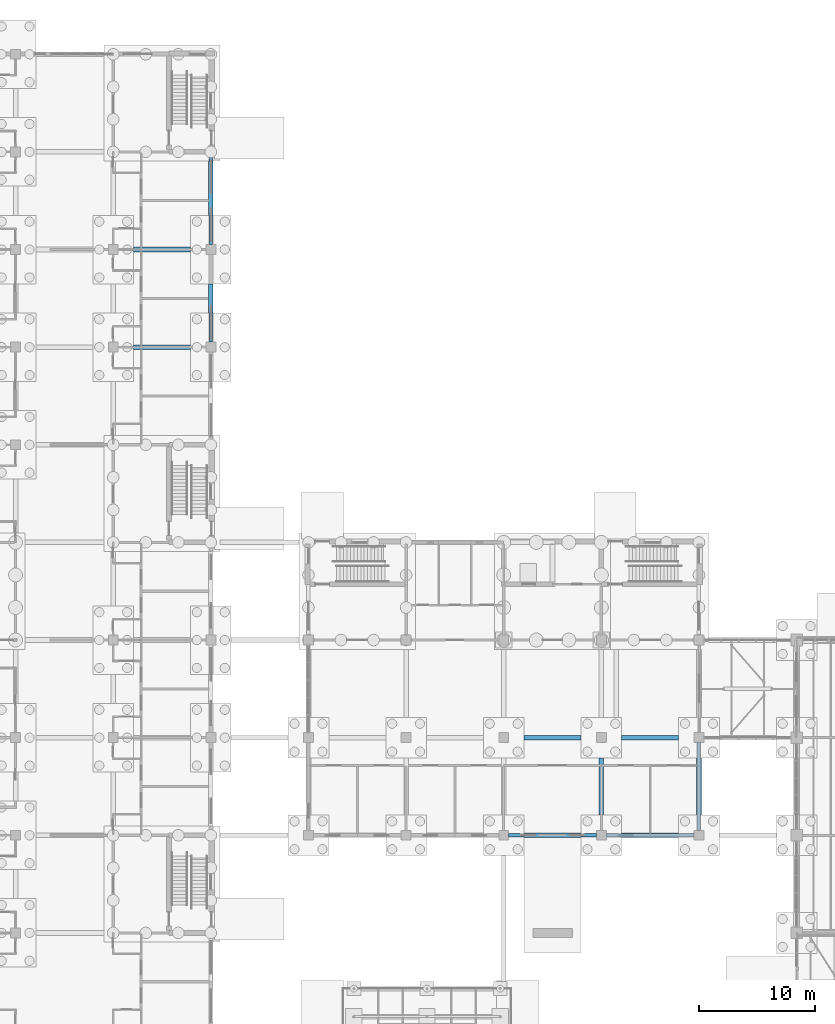
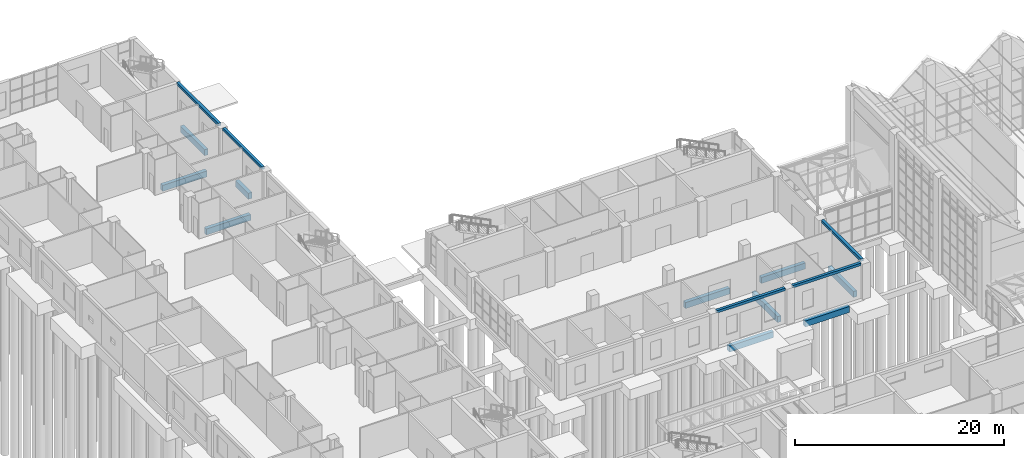
# One storey, part 48 of 138: 15 beams.
"""IFC4 building model written with IfcOpenShell, lengths in metres."""

from ifc_helpers import new_model, si_unit, direction, frame, origin, origin_2d, place, context, subcontext, project, spatial, rectangle, extrude, material, material_profile, profile_set, type_object, element, save


model = new_model("IFC4")

# Units and contexts
model_context = context("Model", 3, precision=1e-05, world=origin(), true_north=direction((0.0, 1.0)))
body_context = subcontext(model_context, "Body", "Model", "MODEL_VIEW")
ifc_project = project(units=[si_unit("LENGTHUNIT", "METRE"), si_unit("AREAUNIT", "SQUARE_METRE"), si_unit("VOLUMEUNIT", "CUBIC_METRE"), si_unit("PLANEANGLEUNIT", "RADIAN"), si_unit("MASSUNIT", "GRAM", prefix="KILO")], contexts=[model_context])

# Site, building, storey
site_placement = place(None, origin())
site = spatial("IfcSite", under=ifc_project, at=site_placement, CompositionType="ELEMENT")
building_placement = place(site_placement, origin())
building = spatial("IfcBuilding", under=site, at=building_placement, Name="Yavir Park General Hospital", CompositionType="ELEMENT")
storey_placement = place(building_placement, origin())
storey = spatial("IfcBuildingStorey", under=building, at=storey_placement, Name="L00", CompositionType="ELEMENT", Elevation=0.0)

# Beams
ifc_material_1 = material(Name="Concrete C35/45", Category="concrete")
ifc_material_profile_1 = material_profile(ifc_material_1, rectangle(XDim=0.300048828125, YDim=0.300048828125, at=origin_2d()), Name="RC300x300")
ifc_profile_set_1 = profile_set([ifc_material_profile_1], Name="Concrete C35/45")
beam_type_1 = type_object("IfcBeamType", Name="RC BEAM 300x300 edge beam", PredefinedType="BEAM", material=ifc_profile_set_1)
beam_1_placement = place(storey_placement, frame((50.824951171875, 50.39990234375, 3.989990234375), z_axis=(1.0, 0.0, 0.0), x_axis=(0.0, 1.0, 0.0)))
element("IfcBeam", 1, at=beam_1_placement, inside=storey, type_object=beam_type_1, Name="B:EDGE:L00:021", PredefinedType="BEAM", context=body_context, shape_type="SweptSolid", body=[
    extrude(rectangle(XDim=0.300048828125, YDim=0.300048828125, at=origin_2d()), origin(), (0.0, 0.0, 1.0), 7.550048828125),
])
beam_2_placement = place(storey_placement, frame((59.22509765625, 50.39990234375, 3.989990234375), z_axis=(1.0, 0.0, 0.0), x_axis=(0.0, 1.0, 0.0)))
element("IfcBeam", 2, at=beam_2_placement, inside=storey, type_object=beam_type_1, Name="B:EDGE:L00:022", PredefinedType="BEAM", context=body_context, shape_type="SweptSolid", body=[
    extrude(rectangle(XDim=0.300048828125, YDim=0.300048828125, at=origin_2d()), origin(), (0.0, 0.0, 1.0), 7.5498046875),
])
beam_3_placement = place(storey_placement, frame((25.199951171875, 92.824951171875, 3.989990234375), z_axis=(0.0, 1.0, 0.0), x_axis=(-1.0, 0.0, 0.0)))
element("IfcBeam", 3, at=beam_3_placement, inside=storey, type_object=beam_type_1, Name="B:EDGE:L00:040", PredefinedType="BEAM", context=body_context, shape_type="SweptSolid", body=[
    extrude(rectangle(XDim=0.300048828125, YDim=0.300048828125, at=origin_2d()), origin(), (0.0, 0.0, 1.0), 7.550048828125),
])
beam_4_placement = place(storey_placement, frame((25.199951171875, 101.22509765625, 3.989990234375), z_axis=(0.0, 1.0, 0.0), x_axis=(-1.0, 0.0, 0.0)))
element("IfcBeam", 4, at=beam_4_placement, inside=storey, type_object=beam_type_1, Name="B:EDGE:L00:041", PredefinedType="BEAM", context=body_context, shape_type="SweptSolid", body=[
    extrude(rectangle(XDim=0.300048828125, YDim=0.300048828125, at=origin_2d()), origin(), (0.0, 0.0, 1.0), 7.974853515625),
])
beam_5_placement = place(storey_placement, frame((67.199951171875, 50.824951171875, 3.989990234375), z_axis=(0.0, 1.0, 0.0), x_axis=(-1.0, 0.0, 0.0)))
element("IfcBeam", 5, at=beam_5_placement, inside=storey, type_object=beam_type_1, Name="B:EDGE:L00:045", PredefinedType="BEAM", context=body_context, shape_type="SweptSolid", body=[
    extrude(rectangle(XDim=0.300048828125, YDim=0.300048828125, at=origin_2d()), origin(), (0.0, 0.0, 1.0), 7.550048828125),
])
ifc_material_2 = material(Name="Concrete C35/45", Category="concrete")
ifc_material_profile_2 = material_profile(ifc_material_2, rectangle(XDim=0.39990234375, YDim=0.699951171875, at=origin_2d()), Name="RC400x700")
ifc_profile_set_2 = profile_set([ifc_material_profile_2], Name="Concrete C35/45")
beam_type_2 = type_object("IfcBeamType", Name="RC BEAM 400x700 ground beam", PredefinedType="BEAM", material=ifc_profile_set_2)
for number, where, z_axis, x_axis, name in (
    (6, (18.550048828125, 92.39990234375, -0.800048828125), (1.0, 0.0, 0.0), (0.0, 1.0, 0.0), "B:GND:L00:3M:L00:4M"),
    (7, (18.550048828125, 100.800048828125, -0.800048828125), (1.0, 0.0, 0.0), (0.0, 1.0, 0.0), "B:GND:L00:3N:L00:4N"),
):
    element("IfcBeam", number, at=place(storey_placement, frame(where, z_axis=z_axis, x_axis=x_axis)), inside=storey, type_object=beam_type_2, Name=name, PredefinedType="BEAM", context=body_context, shape_type="SweptSolid", body=[
        extrude(rectangle(XDim=0.39990234375, YDim=0.699951171875, at=origin_2d()), origin(), (0.0, 0.0, 1.0), 4.89990234375),
    ])
for number, where, z_axis, x_axis, name in (
    (8, (52.14990234375, 50.39990234375, -0.800048828125), (1.0, 0.0, 0.0), (0.0, 1.0, 0.0), "B:GND:L00:7G:L00:8G"),
    (9, (52.14990234375, 58.800048828125, -0.800048828125), (1.0, 0.0, 0.0), (0.0, 1.0, 0.0), "B:GND:L00:7H:L00:8H"),
):
    element("IfcBeam", number, at=place(storey_placement, frame(where, z_axis=z_axis, x_axis=x_axis)), inside=storey, type_object=beam_type_2, Name=name, PredefinedType="BEAM", context=body_context, shape_type="SweptSolid", body=[
        extrude(rectangle(XDim=0.39990234375, YDim=0.699951171875, at=origin_2d()), origin(), (0.0, 0.0, 1.0), 4.900146484375),
    ])
for number, where, z_axis, x_axis, name in (
    (10, (60.550048828125, 50.39990234375, -0.800048828125), (1.0, 0.0, 0.0), (0.0, 1.0, 0.0), "B:GND:L00:8G:L00:9G"),
    (11, (60.550048828125, 58.800048828125, -0.800048828125), (1.0, 0.0, 0.0), (0.0, 1.0, 0.0), "B:GND:L00:8H:L00:9H"),
):
    element("IfcBeam", number, at=place(storey_placement, frame(where, z_axis=z_axis, x_axis=x_axis)), inside=storey, type_object=beam_type_2, Name=name, PredefinedType="BEAM", context=body_context, shape_type="SweptSolid", body=[
        extrude(rectangle(XDim=0.39990234375, YDim=0.699951171875, at=origin_2d()), origin(), (0.0, 0.0, 1.0), 4.89990234375),
    ])
beam_6_placement = place(storey_placement, frame((25.199951171875, 95.35009765625, -0.800048828125), z_axis=(0.0, 1.0, 0.0), x_axis=(-1.0, 0.0, 0.0)))
element("IfcBeam", 12, at=beam_6_placement, inside=storey, type_object=beam_type_2, Name="B:GND:L00:4M:L00:4N", PredefinedType="BEAM", context=body_context, shape_type="SweptSolid", body=[
    extrude(rectangle(XDim=0.39990234375, YDim=0.699951171875, at=origin_2d()), origin(), (0.0, 0.0, 1.0), 2.5),
])
beam_7_placement = place(storey_placement, frame((25.199951171875, 103.75, -0.800048828125), z_axis=(0.0, 1.0, 0.0), x_axis=(-1.0, 0.0, 0.0)))
element("IfcBeam", 13, at=beam_7_placement, inside=storey, type_object=beam_type_2, Name="B:GND:L00:4N:L00:SW3", PredefinedType="BEAM", context=body_context, shape_type="SweptSolid", body=[
    extrude(rectangle(XDim=0.39990234375, YDim=0.699951171875, at=origin_2d()), origin(), (0.0, 0.0, 1.0), 4.64990234375),
])
for number, where, z_axis, x_axis, name in (
    (14, (58.800048828125, 52.14990234375, -0.800048828125), (0.0, 1.0, 0.0), (-1.0, 0.0, 0.0), "B:GND:L00:8G:L00:8H"),
    (15, (67.199951171875, 52.14990234375, -0.800048828125), (0.0, 1.0, 0.0), (-1.0, 0.0, 0.0), "B:GND:L00:9G:L00:9H"),
):
    element("IfcBeam", number, at=place(storey_placement, frame(where, z_axis=z_axis, x_axis=x_axis)), inside=storey, type_object=beam_type_2, Name=name, PredefinedType="BEAM", context=body_context, shape_type="SweptSolid", body=[
        extrude(rectangle(XDim=0.39990234375, YDim=0.699951171875, at=origin_2d()), origin(), (0.0, 0.0, 1.0), 4.900146484375),
    ])

save(model, "model.ifc")
